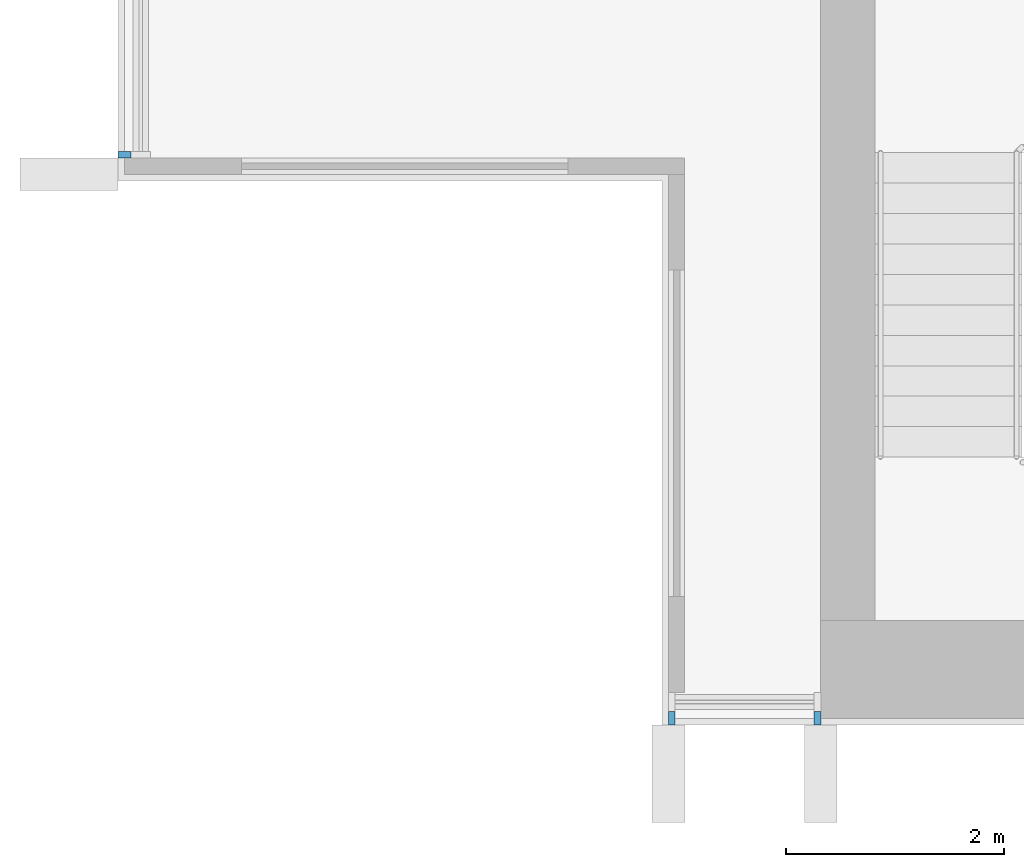
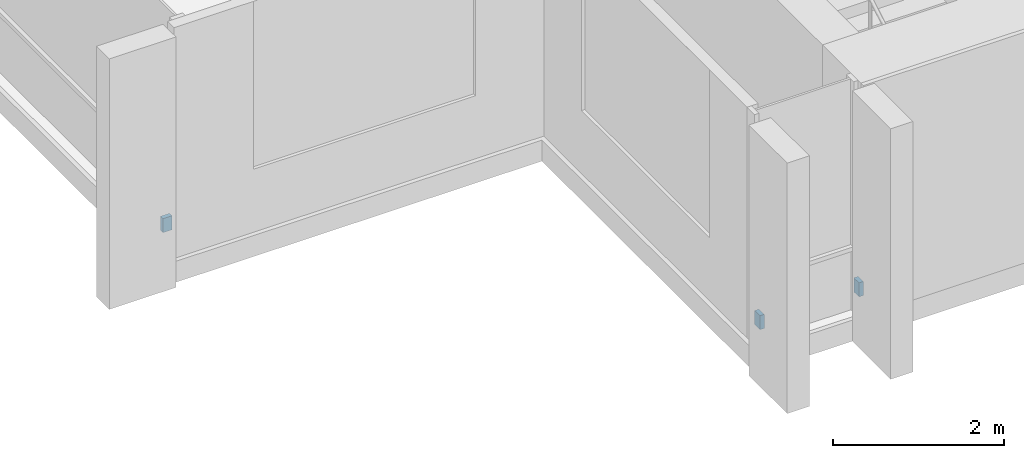
# One storey, part 12 of 16: 3 discrete accessories.
"""IFC4 building model written with IfcOpenShell, lengths in metres."""

from ifc_helpers import new_model, si_unit, direction, frame, origin, origin_2d, place, context, subcontext, project, spatial, rectangle, extrude, material, type_object, element, save


model = new_model("IFC4")

# Units and contexts
model_context = context("Model", 3, precision=1e-05, world=origin(), true_north=direction((0.0, 1.0)))
body_context = subcontext(model_context, "Body", "Model", "MODEL_VIEW")
ifc_project = project(units=[si_unit("LENGTHUNIT", "METRE"), si_unit("AREAUNIT", "SQUARE_METRE"), si_unit("VOLUMEUNIT", "CUBIC_METRE"), si_unit("PLANEANGLEUNIT", "RADIAN"), si_unit("MASSUNIT", "GRAM", prefix="KILO")], contexts=[model_context])

# Site, building, storey
site_placement = place(None, origin())
site = spatial("IfcSite", under=ifc_project, at=site_placement, CompositionType="ELEMENT")
building_placement = place(site_placement, origin())
building = spatial("IfcBuilding", under=site, at=building_placement, Name="Finial Court Residences", CompositionType="ELEMENT")
storey_placement = place(building_placement, frame((0.0, 0.0, 291.5)))
storey = spatial("IfcBuildingStorey", under=building, at=storey_placement, Name="L74", CompositionType="ELEMENT", Elevation=291.5)

# Discrete accessories
ifc_material = material(Name="Stainless steel 316", Category="steel")
discrete_accessory_type = type_object("IfcDiscreteAccessoryType", Name="Fin bracket, stainless steel 60 x 122 x 200", PredefinedType="BRACKET", material=ifc_material)
for number, where, z_axis, x_axis, name in (
    (1, (-14.469970703125, -25.498779296875, 0.2998046875), (0.0, 0.0, 1.0), (1.0, 0.0, 0.0), "E-L74-FIN-S13-BRK"),
    (2, (-13.1298828125, -25.498779296875, 0.2998046875), (0.0, 0.0, 1.0), (1.0, 0.0, 0.0), "E-L74-FIN-S14-BRK"),
):
    element("IfcDiscreteAccessory", number, at=place(storey_placement, frame(where, z_axis=z_axis, x_axis=x_axis)), inside=storey, type_object=discrete_accessory_type, Name=name, PredefinedType="BRACKET", context=body_context, shape_type="SweptSolid", body=[
        extrude(rectangle(XDim=0.06005859375, YDim=0.12255859375, at=origin_2d()), origin(), (0.0, 0.0, 1.0), 0.199951171875),
    ])
discrete_accessory_placement = place(storey_placement, frame((-19.498779296875, -20.320068359375, 0.2998046875), z_axis=(0.0, 0.0, 1.0), x_axis=(1.0, 0.0, 0.0)))
element("IfcDiscreteAccessory", 3, at=discrete_accessory_placement, inside=storey, type_object=discrete_accessory_type, Name="E-L74-FIN-W21-BRK", PredefinedType="BRACKET", context=body_context, shape_type="SweptSolid", body=[
    extrude(rectangle(XDim=0.12255859375, YDim=0.06005859375, at=origin_2d()), origin(), (0.0, 0.0, 1.0), 0.199951171875),
])

save(model, "model.ifc")
